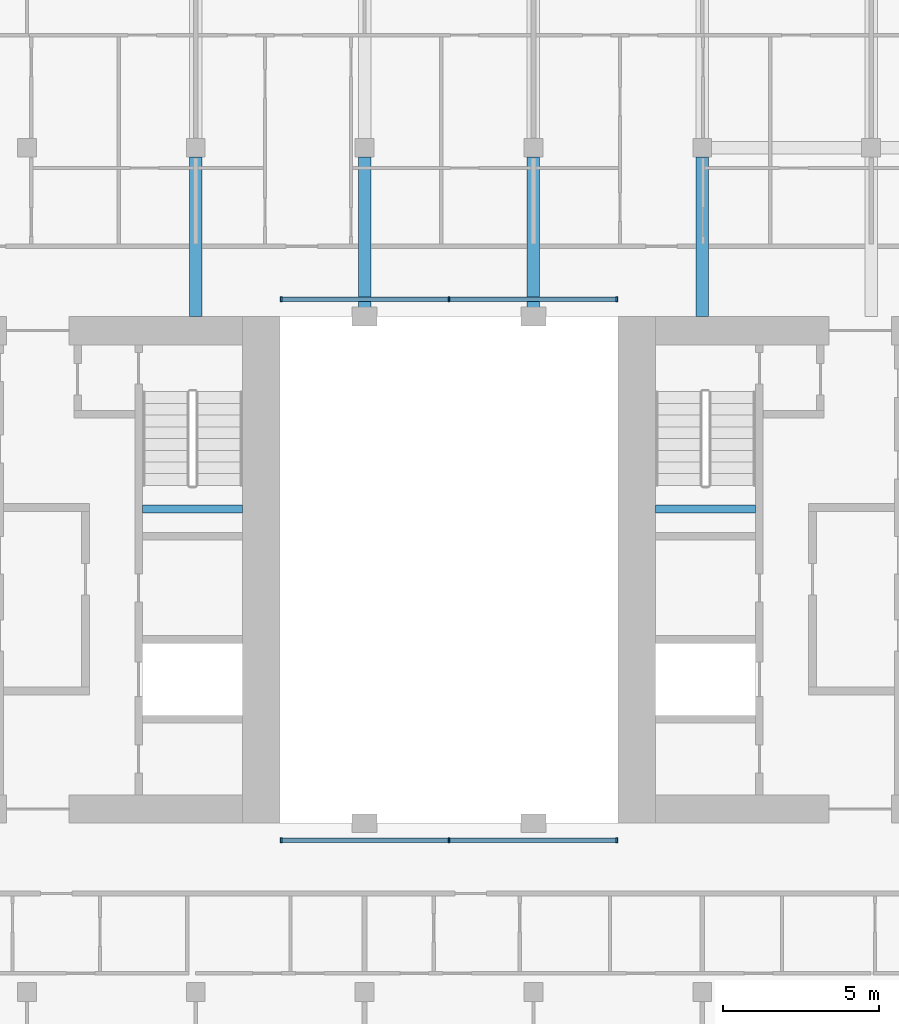
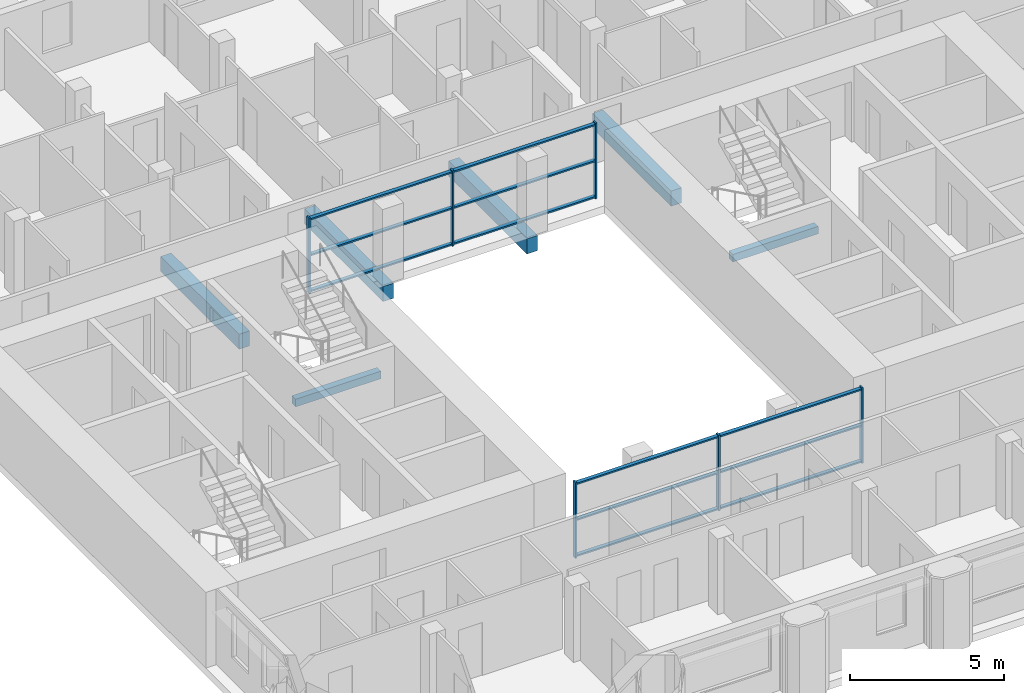
# One storey, part 2 of 13: 18 members, 6 beams, 2 elements without a shape of their own.
"""IFC4 building model written with IfcOpenShell, lengths in metres."""

import ifcopenshell
import ifcopenshell.guid

model = None  # the IFC model being written
_history = None  # IfcOwnerHistory: only IFC2X3 demands one
_inside = {}  # id of a spatial element -> (the spatial element, [elements in it])
_under = {}  # id of a project, library or spatial element -> (it, [spatial elements below it])
_declared = {}  # id of a project -> (the project, [libraries it declares])
_typed = {}  # id of a type object -> (the type object, [elements of that type])
_made_of = {}  # id of a material, layer set ... -> (it, [elements and type objects made of it])


def new_model(schema):
    """Start an empty IFC model of exactly this schema.

    Asked for "IFC4X3", IfcOpenShell would pick the latest addendum, in which some entities
    have other attributes; the version numbers below select the first issue.
    IFC2X3 requires an IfcOwnerHistory on every rooted entity: one is made here for all.
    """
    global model, _history
    if schema == "IFC4X3":
        model = ifcopenshell.file(schema_version=(4, 3, 0, 0))
    else:
        model = ifcopenshell.file(schema=schema)
    _inside.clear()
    _under.clear()
    _declared.clear()
    _typed.clear()
    _made_of.clear()
    _history = None
    if model.schema == "IFC2X3":
        org = make("IfcOrganization", Name="unknown")
        user = make(
            "IfcPersonAndOrganization",
            ThePerson=make("IfcPerson", FamilyName="unknown"),
            TheOrganization=org,
        )
        app = make(
            "IfcApplication",
            ApplicationDeveloper=org,
            Version="unknown",
            ApplicationFullName="unknown",
            ApplicationIdentifier="unknown",
        )
        _history = make(
            "IfcOwnerHistory",
            OwningUser=user,
            OwningApplication=app,
            ChangeAction="ADDED",
            CreationDate=0,
        )
    return model


def make(cls, **values):
    """One entity of the class cls with the attributes given. An attribute that is None is left unset."""
    return model.create_entity(
        cls, **{name: value for name, value in values.items() if value is not None}
    )


def rooted(cls, **values):
    """An entity with a GlobalId (a new one), such as an element, a storey or a relation."""
    return make(cls, GlobalId=ifcopenshell.guid.new(), OwnerHistory=_history, **values)


def si_unit(unit_type, name, prefix=None):
    """IfcSIUnit, for example si_unit("LENGTHUNIT", "METRE", prefix="MILLI")."""
    return make("IfcSIUnit", UnitType=unit_type, Prefix=prefix, Name=name)


def assignment(units):
    """IfcUnitAssignment: the units of a project."""
    return None if units is None else make("IfcUnitAssignment", Units=units)


def point(xyz):
    """IfcCartesianPoint."""
    return None if xyz is None else make("IfcCartesianPoint", Coordinates=xyz)


def direction(xyz):
    """IfcDirection."""
    return None if xyz is None else make("IfcDirection", DirectionRatios=xyz)


def frame(location, z_axis=None, x_axis=None):
    """IfcAxis2Placement3D, a coordinate frame: its origin and axes. An axis left out is left unset."""
    return make(
        "IfcAxis2Placement3D",
        Location=point(location),
        Axis=direction(z_axis),
        RefDirection=direction(x_axis),
    )


def frame_2d(location, x_axis=None):
    """IfcAxis2Placement2D, a coordinate frame in the plane: its origin and x axis."""
    return make(
        "IfcAxis2Placement2D", Location=point(location), RefDirection=direction(x_axis)
    )


def origin():
    """The frame at (0, 0, 0) with its axes left unset."""
    return frame((0.0, 0.0, 0.0))


def origin_2d():
    """The frame at (0, 0) in the plane with its x axis left unset."""
    return frame_2d((0.0, 0.0))


def place(relative_to, where):
    """IfcLocalPlacement: puts the frame where relative to a parent placement (None: the world)."""
    return make(
        "IfcLocalPlacement", PlacementRelTo=relative_to, RelativePlacement=where
    )


def context(
    kind, dimensions, precision=None, world=None, true_north=None, identifier=None
):
    """IfcGeometricRepresentationContext, for example the 3D "Model" context."""
    return make(
        "IfcGeometricRepresentationContext",
        ContextIdentifier=identifier,
        ContextType=kind,
        CoordinateSpaceDimension=dimensions,
        Precision=precision,
        WorldCoordinateSystem=world,
        TrueNorth=true_north,
    )


def subcontext(parent, identifier, kind, view, scale=None):
    """IfcGeometricRepresentationSubContext, for example "Body" below "Model"."""
    return make(
        "IfcGeometricRepresentationSubContext",
        ContextIdentifier=identifier,
        ContextType=kind,
        ParentContext=parent,
        TargetScale=scale,
        TargetView=view,
    )


def project(units=None, contexts=None):
    """IfcProject with its units and contexts."""
    return rooted(
        "IfcProject",
        Name="project",
        RepresentationContexts=contexts,
        UnitsInContext=assignment(units),
    )


def spatial(cls, under=None, at=None, **own):
    """A site, building, storey or space (cls), placed at a placement, below another one or the project."""
    s = rooted(cls, ObjectPlacement=at, **own)
    if under is not None:
        _under.setdefault(under.id(), (under, []))[1].append(s)
    return s


def profile(cls, at=None, kind="AREA", **sizes):
    """A parametric profile (cls). Its sizes go by their IFC names, for example OverallWidth=200.0."""
    return make(cls, ProfileType=kind, Position=at, **sizes)


def rectangle(**sizes):
    """IfcRectangleProfileDef."""
    return profile("IfcRectangleProfileDef", **sizes)


def extrude(swept, where, along, depth):
    """IfcExtrudedAreaSolid: the profile swept, set in the frame where, extruded along a direction by depth."""
    return make(
        "IfcExtrudedAreaSolid",
        SweptArea=swept,
        Position=where,
        ExtrudedDirection=direction(along),
        Depth=depth,
    )


def shape(context_of_items, identifier, shape_type, items):
    """IfcShapeRepresentation: the items that make up one representation, for example the "Body"."""
    return make(
        "IfcShapeRepresentation",
        ContextOfItems=context_of_items,
        RepresentationIdentifier=identifier,
        RepresentationType=shape_type,
        Items=items,
    )


def material(Name=None, Category=None):
    """IfcMaterial."""
    return make("IfcMaterial", Name=Name, Category=Category)


def material_profile(
    of_material, cross_section, Name=None, Category=None, Priority=None
):
    """IfcMaterialProfile: a cross section and its material."""
    return make(
        "IfcMaterialProfile",
        Name=Name,
        Material=of_material,
        Profile=cross_section,
        Priority=Priority,
        Category=Category,
    )


def profile_set(profiles, Name=None, composite=None):
    """IfcMaterialProfileSet."""
    return make(
        "IfcMaterialProfileSet",
        Name=Name,
        MaterialProfiles=profiles,
        CompositeProfile=composite,
    )


def made_of(thing, what):
    """Note that an element or type object is made of a material, layer set ...; save() writes the relation."""
    if what is not None:
        _made_of.setdefault(what.id(), (what, []))[1].append(thing)
    return thing


def type_object(cls, material=None, **own):
    """A type object (cls), such as IfcWallType, which elements share."""
    return made_of(rooted(cls, **own), material)


def element(
    cls,
    number,
    at=None,
    inside=None,
    cuts=None,
    type_object=None,
    material=None,
    context=None,
    identifier="Body",
    shape_type=None,
    held_by="IfcProductDefinitionShape",
    body=None,
    shapes=None,
    **own,
):
    """One element of the class cls, such as IfcWall. Its Tag is "e" and its number.

    at: its placement. inside: the storey or other place that contains it. cuts: it is an
    opening in that element (IfcRelVoidsElement). A single representation is given by context,
    identifier, shape_type and body (its items); several are given by shapes. held_by: the class
    of the entity that holds the representations. save() writes the other relations.
    """
    e = rooted(cls, Tag="e%d" % number, ObjectPlacement=at, **own)
    if body is not None:
        shapes = [shape(context, identifier, shape_type, body)]
    if shapes is not None:
        e.Representation = make(held_by, Representations=shapes)
    if inside is not None:
        _inside.setdefault(inside.id(), (inside, []))[1].append(e)
    if cuts is not None:
        rooted(
            "IfcRelVoidsElement", RelatingBuildingElement=cuts, RelatedOpeningElement=e
        )
    if type_object is not None:
        _typed.setdefault(type_object.id(), (type_object, []))[1].append(e)
    return made_of(e, material)


def aggregate(whole, parts):
    """IfcRelAggregates: a whole, such as a stair, and the parts it consists of."""
    return rooted("IfcRelAggregates", RelatingObject=whole, RelatedObjects=parts)


def save(model, path):
    """Write the relations noted so far, then the file.

    IfcRelAggregates (storeys below a building ...), IfcRelContainedInSpatialStructure (elements
    in a storey), IfcRelDefinesByType, IfcRelAssociatesMaterial and IfcRelDeclares: one each for
    every whole, place, type object, material and project.
    """
    for whole, parts in _under.values():
        aggregate(whole, parts)
    for where, things in _inside.values():
        rooted(
            "IfcRelContainedInSpatialStructure",
            RelatedElements=things,
            RelatingStructure=where,
        )
    for kind, things in _typed.values():
        rooted("IfcRelDefinesByType", RelatedObjects=things, RelatingType=kind)
    for what, things in _made_of.values():
        rooted("IfcRelAssociatesMaterial", RelatedObjects=things, RelatingMaterial=what)
    for by, libraries in _declared.values():
        rooted("IfcRelDeclares", RelatingContext=by, RelatedDefinitions=libraries)
    model.write(path)


model = new_model("IFC4")

# Units and contexts
model_context = context("Model", 3, precision=1e-05, world=origin(), true_north=direction((0.0, 1.0)))
body_context = subcontext(model_context, "Body", "Model", "MODEL_VIEW")
ifc_project = project(units=[si_unit("LENGTHUNIT", "METRE"), si_unit("AREAUNIT", "SQUARE_METRE"), si_unit("VOLUMEUNIT", "CUBIC_METRE"), si_unit("PLANEANGLEUNIT", "RADIAN"), si_unit("MASSUNIT", "GRAM", prefix="KILO")], contexts=[model_context])

# Site, building, storey
site_placement = place(None, origin())
site = spatial("IfcSite", under=ifc_project, at=site_placement, CompositionType="ELEMENT")
building_placement = place(site_placement, origin())
building = spatial("IfcBuilding", under=site, at=building_placement, Name="Tabaq Tower and Sports Hall", CompositionType="ELEMENT")
storey_placement = place(building_placement, frame((0.0, 0.0, 291.699951171875)))
storey = spatial("IfcBuildingStorey", under=building, at=storey_placement, Name="L72", CompositionType="ELEMENT", Elevation=291.699951171875)

# Curtain wall, members
ifc_material_1 = material(Name="Aluminium alloy 6063-T6 framed glazing", Category="aluminium")
curtain_wall_type = type_object("IfcCurtainWallType", Name="CW1 curtain wall", PredefinedType="USERDEFINED", material=ifc_material_1)
curtain_wall_1_placement = place(storey_placement, origin())
curtain_wall_1 = element("IfcCurtainWall", 1, at=curtain_wall_1_placement, inside=storey, type_object=curtain_wall_type, Name="Atrium glazing L72 S", ObjectType="ATRIUM ENCLOSURE", PredefinedType="USERDEFINED")
ifc_material_2 = material(Name="Aluminium alloy 6063-T6", Category="aluminium")
ifc_material_profile_1 = material_profile(ifc_material_2, rectangle(XDim=0.159912109375, YDim=0.06005859375, at=origin_2d()), Name="MULLION 160x60")
ifc_profile_set_1 = profile_set([ifc_material_profile_1], Name="Aluminium alloy 6063-T6")
member_type_1 = type_object("IfcMemberType", Name="CW1 mullion 160x60", PredefinedType="MULLION", material=ifc_profile_set_1)
member_1_placement = place(storey_placement, frame((18.929931640625, 15.64990234375, 0.0), z_axis=(0.0, 0.0, 1.0), x_axis=(0.0, 1.0, 0.0)))
member_1 = element("IfcMember", 2, at=member_1_placement, type_object=member_type_1, Name="CW1 mullion 1", PredefinedType="MULLION", context=body_context, shape_type="SweptSolid", body=[
    extrude(rectangle(XDim=0.159912109375, YDim=0.06005859375, at=origin_2d()), origin(), (0.0, 0.0, 1.0), 3.0),
])
member_2_placement = place(storey_placement, frame((24.300048828125, 15.64990234375, 0.0), z_axis=(0.0, 0.0, 1.0), x_axis=(0.0, 1.0, 0.0)))
member_2 = element("IfcMember", 3, at=member_2_placement, type_object=member_type_1, Name="CW1 mullion 2", PredefinedType="MULLION", context=body_context, shape_type="SweptSolid", body=[
    extrude(rectangle(XDim=0.159912109375, YDim=0.06005859375, at=origin_2d()), origin(), (0.0, 0.0, 1.0), 3.0),
])
member_3_placement = place(storey_placement, frame((29.669921875, 15.64990234375, 0.0), z_axis=(0.0, 0.0, 1.0), x_axis=(0.0, 1.0, 0.0)))
member_3 = element("IfcMember", 4, at=member_3_placement, type_object=member_type_1, Name="CW1 mullion 3", PredefinedType="MULLION", context=body_context, shape_type="SweptSolid", body=[
    extrude(rectangle(XDim=0.159912109375, YDim=0.06005859375, at=origin_2d()), origin(), (0.0, 0.0, 1.0), 3.0),
])

curtain_wall_2_placement = place(storey_placement, origin())
curtain_wall_2 = element("IfcCurtainWall", 5, at=curtain_wall_2_placement, inside=storey, type_object=curtain_wall_type, Name="Atrium glazing L72 N", ObjectType="ATRIUM ENCLOSURE", PredefinedType="USERDEFINED")
member_4_placement = place(storey_placement, frame((18.929931640625, 32.949951171875, 0.0), z_axis=(0.0, 0.0, 1.0), x_axis=(0.0, 1.0, 0.0)))
member_4 = element("IfcMember", 6, at=member_4_placement, type_object=member_type_1, Name="CW1 mullion 1", PredefinedType="MULLION", context=body_context, shape_type="SweptSolid", body=[
    extrude(rectangle(XDim=0.159912109375, YDim=0.06005859375, at=origin_2d()), origin(), (0.0, 0.0, 1.0), 3.0),
])
member_5_placement = place(storey_placement, frame((24.300048828125, 32.949951171875, 0.0), z_axis=(0.0, 0.0, 1.0), x_axis=(0.0, 1.0, 0.0)))
member_5 = element("IfcMember", 7, at=member_5_placement, type_object=member_type_1, Name="CW1 mullion 2", PredefinedType="MULLION", context=body_context, shape_type="SweptSolid", body=[
    extrude(rectangle(XDim=0.159912109375, YDim=0.06005859375, at=origin_2d()), origin(), (0.0, 0.0, 1.0), 3.0),
])
member_6_placement = place(storey_placement, frame((29.669921875, 32.949951171875, 0.0), z_axis=(0.0, 0.0, 1.0), x_axis=(0.0, 1.0, 0.0)))
member_6 = element("IfcMember", 8, at=member_6_placement, type_object=member_type_1, Name="CW1 mullion 3", PredefinedType="MULLION", context=body_context, shape_type="SweptSolid", body=[
    extrude(rectangle(XDim=0.159912109375, YDim=0.06005859375, at=origin_2d()), origin(), (0.0, 0.0, 1.0), 3.0),
])

# Member
ifc_material_3 = material(Name="Aluminium alloy 6063-T6", Category="aluminium")
ifc_material_profile_2 = material_profile(ifc_material_3, rectangle(XDim=0.139892578125, YDim=0.06005859375, at=origin_2d()), Name="TRANSOM 140x60")
ifc_profile_set_2 = profile_set([ifc_material_profile_2], Name="Aluminium alloy 6063-T6")
member_type_2 = type_object("IfcMemberType", Name="CW1 transom 140x60", PredefinedType="USERDEFINED", material=ifc_profile_set_2)
member_7_placement = place(storey_placement, frame((18.9599609375, 15.64990234375, 0.070068359375), z_axis=(1.0, 0.0, 0.0), x_axis=(0.0, 1.0, 0.0)))
member_7 = element("IfcMember", 9, at=member_7_placement, type_object=member_type_2, Name="CW1 transom 1.1", ObjectType="TRANSOM", PredefinedType="USERDEFINED", context=body_context, shape_type="SweptSolid", body=[
    extrude(rectangle(XDim=0.139892578125, YDim=0.06005859375, at=origin_2d()), origin(), (0.0, 0.0, 1.0), 5.31005859375),
])

member_8_placement = place(storey_placement, frame((18.9599609375, 15.64990234375, 1.5), z_axis=(1.0, 0.0, 0.0), x_axis=(0.0, 1.0, 0.0)))
member_8 = element("IfcMember", 10, at=member_8_placement, type_object=member_type_2, Name="CW1 transom 1.2", ObjectType="TRANSOM", PredefinedType="USERDEFINED", context=body_context, shape_type="SweptSolid", body=[
    extrude(rectangle(XDim=0.139892578125, YDim=0.06005859375, at=origin_2d()), origin(), (0.0, 0.0, 1.0), 5.31005859375),
])

member_9_placement = place(storey_placement, frame((18.9599609375, 15.64990234375, 2.929931640625), z_axis=(1.0, 0.0, 0.0), x_axis=(0.0, 1.0, 0.0)))
member_9 = element("IfcMember", 11, at=member_9_placement, type_object=member_type_2, Name="CW1 transom 1.3", ObjectType="TRANSOM", PredefinedType="USERDEFINED", context=body_context, shape_type="SweptSolid", body=[
    extrude(rectangle(XDim=0.139892578125, YDim=0.06005859375, at=origin_2d()), origin(), (0.0, 0.0, 1.0), 5.31005859375),
])

member_10_placement = place(storey_placement, frame((24.330078125, 15.64990234375, 0.070068359375), z_axis=(1.0, 0.0, 0.0), x_axis=(0.0, 1.0, 0.0)))
member_10 = element("IfcMember", 12, at=member_10_placement, type_object=member_type_2, Name="CW1 transom 2.1", ObjectType="TRANSOM", PredefinedType="USERDEFINED", context=body_context, shape_type="SweptSolid", body=[
    extrude(rectangle(XDim=0.139892578125, YDim=0.06005859375, at=origin_2d()), origin(), (0.0, 0.0, 1.0), 5.309814453125),
])

member_11_placement = place(storey_placement, frame((24.330078125, 15.64990234375, 1.5), z_axis=(1.0, 0.0, 0.0), x_axis=(0.0, 1.0, 0.0)))
member_11 = element("IfcMember", 13, at=member_11_placement, type_object=member_type_2, Name="CW1 transom 2.2", ObjectType="TRANSOM", PredefinedType="USERDEFINED", context=body_context, shape_type="SweptSolid", body=[
    extrude(rectangle(XDim=0.139892578125, YDim=0.06005859375, at=origin_2d()), origin(), (0.0, 0.0, 1.0), 5.309814453125),
])

member_12_placement = place(storey_placement, frame((24.330078125, 15.64990234375, 2.929931640625), z_axis=(1.0, 0.0, 0.0), x_axis=(0.0, 1.0, 0.0)))
member_12 = element("IfcMember", 14, at=member_12_placement, type_object=member_type_2, Name="CW1 transom 2.3", ObjectType="TRANSOM", PredefinedType="USERDEFINED", context=body_context, shape_type="SweptSolid", body=[
    extrude(rectangle(XDim=0.139892578125, YDim=0.06005859375, at=origin_2d()), origin(), (0.0, 0.0, 1.0), 5.309814453125),
])

aggregate(curtain_wall_1, [member_1, member_2, member_3, member_7, member_8, member_9, member_10, member_11, member_12])

member_13_placement = place(storey_placement, frame((18.9599609375, 32.949951171875, 0.070068359375), z_axis=(1.0, 0.0, 0.0), x_axis=(0.0, 1.0, 0.0)))
member_13 = element("IfcMember", 15, at=member_13_placement, type_object=member_type_2, Name="CW1 transom 1.1", ObjectType="TRANSOM", PredefinedType="USERDEFINED", context=body_context, shape_type="SweptSolid", body=[
    extrude(rectangle(XDim=0.139892578125, YDim=0.06005859375, at=origin_2d()), origin(), (0.0, 0.0, 1.0), 5.31005859375),
])

member_14_placement = place(storey_placement, frame((18.9599609375, 32.949951171875, 1.5), z_axis=(1.0, 0.0, 0.0), x_axis=(0.0, 1.0, 0.0)))
member_14 = element("IfcMember", 16, at=member_14_placement, type_object=member_type_2, Name="CW1 transom 1.2", ObjectType="TRANSOM", PredefinedType="USERDEFINED", context=body_context, shape_type="SweptSolid", body=[
    extrude(rectangle(XDim=0.139892578125, YDim=0.06005859375, at=origin_2d()), origin(), (0.0, 0.0, 1.0), 5.31005859375),
])

member_15_placement = place(storey_placement, frame((18.9599609375, 32.949951171875, 2.929931640625), z_axis=(1.0, 0.0, 0.0), x_axis=(0.0, 1.0, 0.0)))
member_15 = element("IfcMember", 17, at=member_15_placement, type_object=member_type_2, Name="CW1 transom 1.3", ObjectType="TRANSOM", PredefinedType="USERDEFINED", context=body_context, shape_type="SweptSolid", body=[
    extrude(rectangle(XDim=0.139892578125, YDim=0.06005859375, at=origin_2d()), origin(), (0.0, 0.0, 1.0), 5.31005859375),
])

member_16_placement = place(storey_placement, frame((24.330078125, 32.949951171875, 0.070068359375), z_axis=(1.0, 0.0, 0.0), x_axis=(0.0, 1.0, 0.0)))
member_16 = element("IfcMember", 18, at=member_16_placement, type_object=member_type_2, Name="CW1 transom 2.1", ObjectType="TRANSOM", PredefinedType="USERDEFINED", context=body_context, shape_type="SweptSolid", body=[
    extrude(rectangle(XDim=0.139892578125, YDim=0.06005859375, at=origin_2d()), origin(), (0.0, 0.0, 1.0), 5.309814453125),
])

member_17_placement = place(storey_placement, frame((24.330078125, 32.949951171875, 1.5), z_axis=(1.0, 0.0, 0.0), x_axis=(0.0, 1.0, 0.0)))
member_17 = element("IfcMember", 19, at=member_17_placement, type_object=member_type_2, Name="CW1 transom 2.2", ObjectType="TRANSOM", PredefinedType="USERDEFINED", context=body_context, shape_type="SweptSolid", body=[
    extrude(rectangle(XDim=0.139892578125, YDim=0.06005859375, at=origin_2d()), origin(), (0.0, 0.0, 1.0), 5.309814453125),
])

member_18_placement = place(storey_placement, frame((24.330078125, 32.949951171875, 2.929931640625), z_axis=(1.0, 0.0, 0.0), x_axis=(0.0, 1.0, 0.0)))
member_18 = element("IfcMember", 20, at=member_18_placement, type_object=member_type_2, Name="CW1 transom 2.3", ObjectType="TRANSOM", PredefinedType="USERDEFINED", context=body_context, shape_type="SweptSolid", body=[
    extrude(rectangle(XDim=0.139892578125, YDim=0.06005859375, at=origin_2d()), origin(), (0.0, 0.0, 1.0), 5.309814453125),
])

aggregate(curtain_wall_2, [member_4, member_5, member_6, member_13, member_14, member_15, member_16, member_17, member_18])

# Beams
ifc_material_4 = material(Name="Concrete C40/50", Category="concrete")
ifc_material_profile_3 = material_profile(ifc_material_4, rectangle(XDim=0.39990234375, YDim=0.60009765625, at=origin_2d()), Name="CB 400x600")
ifc_profile_set_3 = profile_set([ifc_material_profile_3], Name="Concrete C40/50")
beam_type_1 = type_object("IfcBeamType", Name="PT CANTILEVER BEAM CB 400x600 C40/50", PredefinedType="BEAM", material=ifc_profile_set_3)
for number, where, z_axis, x_axis, name in (
    (21, (16.199951171875, 37.5, -0.599853515625), (0.0, -1.0, 0.0), (1.0, 0.0, 0.0), "Cantilever Beam L72 N3 span 3"),
    (22, (21.60009765625, 37.5, -0.599853515625), (0.0, -1.0, 0.0), (1.0, 0.0, 0.0), "Cantilever Beam L72 N4 span 3"),
    (23, (27.0, 37.5, -0.599853515625), (0.0, -1.0, 0.0), (1.0, 0.0, 0.0), "Cantilever Beam L72 N5 span 3"),
    (24, (32.39990234375, 37.5, -0.599853515625), (0.0, -1.0, 0.0), (1.0, 0.0, 0.0), "Cantilever Beam L72 N6 span 3"),
):
    element("IfcBeam", number, at=place(storey_placement, frame(where, z_axis=z_axis, x_axis=x_axis)), inside=storey, type_object=beam_type_1, Name=name, PredefinedType="BEAM", context=body_context, shape_type="SweptSolid", body=[
        extrude(rectangle(XDim=0.39990234375, YDim=0.60009765625, at=origin_2d()), origin(), (0.0, 0.0, 1.0), 5.10009765625),
    ])
ifc_material_5 = material(Name="Concrete C40/50", Category="concrete")
ifc_material_profile_4 = material_profile(ifc_material_5, rectangle(XDim=0.25, YDim=0.300048828125, at=origin_2d()), Name="RC 250x300")
ifc_profile_set_4 = profile_set([ifc_material_profile_4], Name="Concrete C40/50")
beam_type_2 = type_object("IfcBeamType", Name="Stair landing beam 250x300", PredefinedType="BEAM", material=ifc_profile_set_4)
beam_1_placement = place(storey_placement, frame((14.5, 26.25, 1.300048828125), z_axis=(1.0, 0.0, 0.0), x_axis=(0.0, 1.0, 0.0)))
element("IfcBeam", 25, at=beam_1_placement, inside=storey, type_object=beam_type_2, Name="L72 ST2 landing beam 1", PredefinedType="BEAM", context=body_context, shape_type="SweptSolid", body=[
    extrude(rectangle(XDim=0.25, YDim=0.300048828125, at=origin_2d()), origin(), (0.0, 0.0, 1.0), 3.199951171875),
])
beam_2_placement = place(storey_placement, frame((30.89990234375, 26.25, 1.300048828125), z_axis=(1.0, 0.0, 0.0), x_axis=(0.0, 1.0, 0.0)))
element("IfcBeam", 26, at=beam_2_placement, inside=storey, type_object=beam_type_2, Name="L72 ST4 landing beam 1", PredefinedType="BEAM", context=body_context, shape_type="SweptSolid", body=[
    extrude(rectangle(XDim=0.25, YDim=0.300048828125, at=origin_2d()), origin(), (0.0, 0.0, 1.0), 3.2001953125),
])

save(model, "model.ifc")
